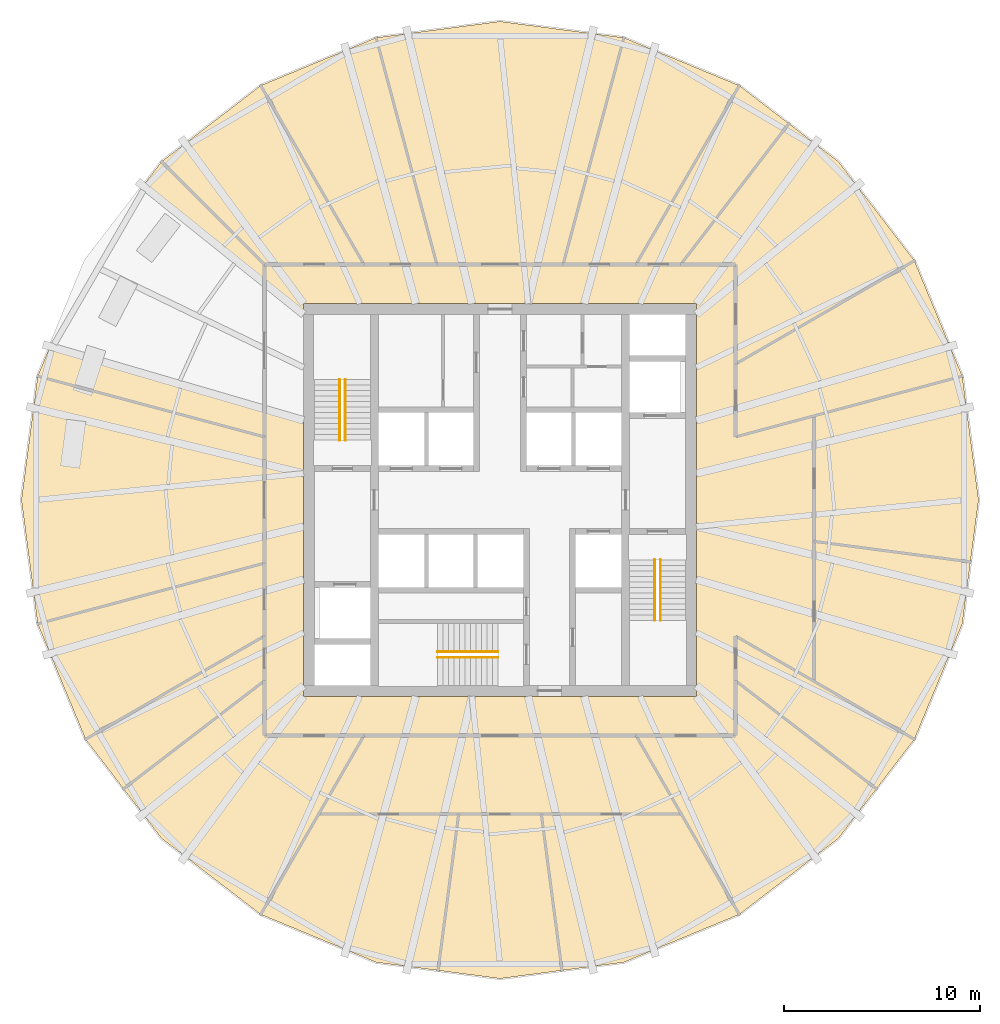
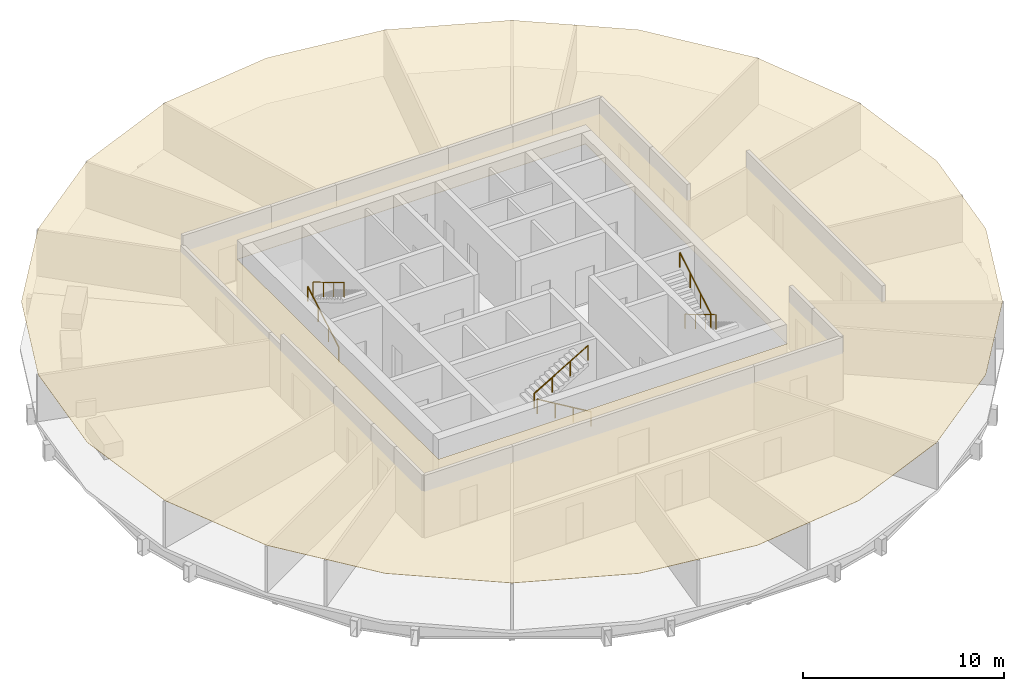
# One storey, part 6 of 7: 6 railings, 1 covering.
"""IFC4 building model written with IfcOpenShell, lengths in metres."""

from ifc_helpers import new_model, si_unit, direction, frame, origin, origin_2d, place, context, subcontext, project, spatial, polyline, circle, outline, extrude, material, layer, layer_set, type_object, element, save


model = new_model("IFC4")

# Units and contexts
model_context = context("Model", 3, precision=1e-05, world=origin(), true_north=direction((0.0, 1.0)))
body_context = subcontext(model_context, "Body", "Model", "MODEL_VIEW")
ifc_project = project(units=[si_unit("LENGTHUNIT", "METRE"), si_unit("AREAUNIT", "SQUARE_METRE"), si_unit("VOLUMEUNIT", "CUBIC_METRE"), si_unit("PLANEANGLEUNIT", "RADIAN"), si_unit("MASSUNIT", "GRAM", prefix="KILO")], contexts=[model_context])

# Site, building, storey
site_placement = place(None, origin())
site = spatial("IfcSite", under=ifc_project, at=site_placement, CompositionType="ELEMENT")
building_placement = place(site_placement, origin())
building = spatial("IfcBuilding", under=site, at=building_placement, Name="Golbaran Civic Tower", CompositionType="ELEMENT")
storey_placement = place(building_placement, frame((0.0, 0.0, 130.0)))
storey = spatial("IfcBuildingStorey", under=building, at=storey_placement, Name="L31", CompositionType="ELEMENT", Elevation=130.0)

# Railings
ifc_material_1 = material(Name="Stainless steel", Category="steel")
railing_type = type_object("IfcRailingType", Name="STAIR HANDRAIL 900", PredefinedType="HANDRAIL", material=ifc_material_1)
railing_1_placement = place(storey_placement, frame((-8.175048828125, 3.050048828125, 0.166748046875)))
element("IfcRailing", 1, at=railing_1_placement, inside=storey, type_object=railing_type, Name="Stair S1 handrail flight 1 L31", PredefinedType="HANDRAIL", context=body_context, shape_type="SweptSolid", body=[
    extrude(circle(Radius=0.02392578125, at=origin_2d()), frame((0.0, 0.0, 0.8759765625), z_axis=(0.0, 0.859290745958, 0.51148745235), x_axis=(-1.0, 0.0, 0.0)), (0.0, 0.0, 1.0), 3.584228515625),
    extrude(circle(Radius=0.02099609375, at=origin_2d()), origin(), (0.0, 0.0, 1.0), 0.851806640625),
    extrude(circle(Radius=0.02099609375, at=origin_2d()), frame((0.0, 1.026611328125, 0.611083984375)), (0.0, 0.0, 1.0), 0.851806640625),
    extrude(circle(Radius=0.02099609375, at=origin_2d()), frame((0.0, 2.05322265625, 1.22216796875)), (0.0, 0.0, 1.0), 0.851806640625),
    extrude(circle(Radius=0.02099609375, at=origin_2d()), frame((0.0, 3.079833984375, 1.833251953125)), (0.0, 0.0, 1.0), 0.851806640625),
])
for number, where, name in (
    (2, (-7.875, 6.1298828125, 2.166748046875), "Stair S1 handrail flight 2 L31"),
    (3, (8.175048828125, -3.050048828125, 0.166748046875), "Stair S2 handrail flight 1 L31"),
):
    element("IfcRailing", number, at=place(storey_placement, frame(where)), inside=storey, type_object=railing_type, Name=name, PredefinedType="HANDRAIL", context=body_context, shape_type="SweptSolid", body=[
        extrude(circle(Radius=0.02392578125, at=origin_2d()), frame((0.0, 0.0, 0.8759765625), z_axis=(0.0, -0.859290745958, 0.51148745235), x_axis=(1.0, 0.0, 0.0)), (0.0, 0.0, 1.0), 3.584228515625),
        extrude(circle(Radius=0.02099609375, at=origin_2d()), origin(), (0.0, 0.0, 1.0), 0.851806640625),
        extrude(circle(Radius=0.02099609375, at=origin_2d()), frame((0.0, -1.026611328125, 0.611083984375)), (0.0, 0.0, 1.0), 0.851806640625),
        extrude(circle(Radius=0.02099609375, at=origin_2d()), frame((0.0, -2.05322265625, 1.22216796875)), (0.0, 0.0, 1.0), 0.851806640625),
        extrude(circle(Radius=0.02099609375, at=origin_2d()), frame((0.0, -3.079833984375, 1.833251953125)), (0.0, 0.0, 1.0), 0.851806640625),
    ])
railing_2_placement = place(storey_placement, frame((7.875, -6.1298828125, 2.166748046875)))
element("IfcRailing", 4, at=railing_2_placement, inside=storey, type_object=railing_type, Name="Stair S2 handrail flight 2 L31", PredefinedType="HANDRAIL", context=body_context, shape_type="SweptSolid", body=[
    extrude(circle(Radius=0.02392578125, at=origin_2d()), frame((0.0, 0.0, 0.8759765625), z_axis=(0.0, 0.859290745958, 0.51148745235), x_axis=(-1.0, 0.0, 0.0)), (0.0, 0.0, 1.0), 3.584228515625),
    extrude(circle(Radius=0.02099609375, at=origin_2d()), origin(), (0.0, 0.0, 1.0), 0.851806640625),
    extrude(circle(Radius=0.02099609375, at=origin_2d()), frame((0.0, 1.026611328125, 0.611083984375)), (0.0, 0.0, 1.0), 0.851806640625),
    extrude(circle(Radius=0.02099609375, at=origin_2d()), frame((0.0, 2.05322265625, 1.22216796875)), (0.0, 0.0, 1.0), 0.851806640625),
    extrude(circle(Radius=0.02099609375, at=origin_2d()), frame((0.0, 3.079833984375, 1.833251953125)), (0.0, 0.0, 1.0), 0.851806640625),
])
railing_3_placement = place(storey_placement, frame((-0.10009765625, -8.02490234375, 0.166748046875)))
element("IfcRailing", 5, at=railing_3_placement, inside=storey, type_object=railing_type, Name="Stair S3 handrail flight 1 L31", PredefinedType="HANDRAIL", context=body_context, shape_type="SweptSolid", body=[
    extrude(circle(Radius=0.02392578125, at=origin_2d()), frame((0.0, 0.0, 0.8759765625), z_axis=(-0.859290745958, 0.0, 0.51148745235), x_axis=(0.0, -1.0, 0.0)), (0.0, 0.0, 1.0), 3.584228515625),
    extrude(circle(Radius=0.02099609375, at=origin_2d()), origin(), (0.0, 0.0, 1.0), 0.851806640625),
    extrude(circle(Radius=0.02099609375, at=origin_2d()), frame((-1.026611328125, 0.0, 0.611083984375)), (0.0, 0.0, 1.0), 0.851806640625),
    extrude(circle(Radius=0.02099609375, at=origin_2d()), frame((-2.05322265625, 0.0, 1.22216796875)), (0.0, 0.0, 1.0), 0.851806640625),
    extrude(circle(Radius=0.02099609375, at=origin_2d()), frame((-3.079833984375, 0.0, 1.833251953125)), (0.0, 0.0, 1.0), 0.851806640625),
])
railing_4_placement = place(storey_placement, frame((-3.179931640625, -7.72509765625, 2.166748046875)))
element("IfcRailing", 6, at=railing_4_placement, inside=storey, type_object=railing_type, Name="Stair S3 handrail flight 2 L31", PredefinedType="HANDRAIL", context=body_context, shape_type="SweptSolid", body=[
    extrude(circle(Radius=0.02392578125, at=origin_2d()), frame((0.0, 0.0, 0.8759765625), z_axis=(0.859290745958, 0.0, 0.51148745235), x_axis=(0.0, 1.0, 0.0)), (0.0, 0.0, 1.0), 3.584228515625),
    extrude(circle(Radius=0.02099609375, at=origin_2d()), origin(), (0.0, 0.0, 1.0), 0.851806640625),
    extrude(circle(Radius=0.02099609375, at=origin_2d()), frame((1.026611328125, 0.0, 0.611083984375)), (0.0, 0.0, 1.0), 0.851806640625),
    extrude(circle(Radius=0.02099609375, at=origin_2d()), frame((2.05322265625, 0.0, 1.22216796875)), (0.0, 0.0, 1.0), 0.851806640625),
    extrude(circle(Radius=0.02099609375, at=origin_2d()), frame((3.079833984375, 0.0, 1.833251953125)), (0.0, 0.0, 1.0), 0.851806640625),
])

# Covering
ifc_material_2 = material(Name="Mineral fibre tile on steel grid", Category="steel")
ifc_layer = layer(ifc_material_2, 0.02001953125, Name="Mineral fibre tile on steel grid")
ifc_layer_set = layer_set([ifc_layer], Name="Mineral fibre tile on steel grid")
covering_type = type_object("IfcCoveringType", Name="SUSPENDED CEILING 600 TILE 20", PredefinedType="CEILING", material=ifc_layer_set)
covering_placement = place(storey_placement, frame((0.0, 0.0, 2.800048828125)))
element("IfcCovering", 7, at=covering_placement, inside=storey, type_object=covering_type, Name="Suspended ceiling L31", PredefinedType="CEILING", context=body_context, shape_type="SweptSolid", body=[
    extrude(outline(polyline([(-21.1171875, 12.19189453125), (-17.2421875, 17.2421875), (-12.19189453125, 21.1171875), (-6.31103515625, 23.55322265625), (0.0, 24.384033203125), (6.31103515625, 23.55322265625), (12.19189453125, 21.1171875), (17.2421875, 17.2421875), (21.1171875, 12.19189453125), (23.55322265625, 6.31103515625), (24.384033203125, 0.0), (23.55322265625, -6.31103515625), (21.1171875, -12.19189453125), (17.2421875, -17.2421875), (12.19189453125, -21.1171875), (6.31103515625, -23.55322265625), (3.30419921875, -23.948974609375), (0.0, -24.384033203125), (-6.31103515625, -23.55322265625), (-12.19189453125, -21.1171875), (-17.2421875, -17.2421875), (-21.1171875, -12.19189453125), (-23.55322265625, -6.31103515625), (-24.384033203125, 0.0), (-23.55322265625, 6.31103515625), (-21.1171875, 12.19189453125)]), holes=[polyline([(-10.0, 10.0), (-10.0, -10.0), (10.0, -10.0), (10.0, 10.0), (-10.0, 10.0)])]), origin(), (0.0, 0.0, 1.0), 0.02001953125),
])

save(model, "model.ifc")
